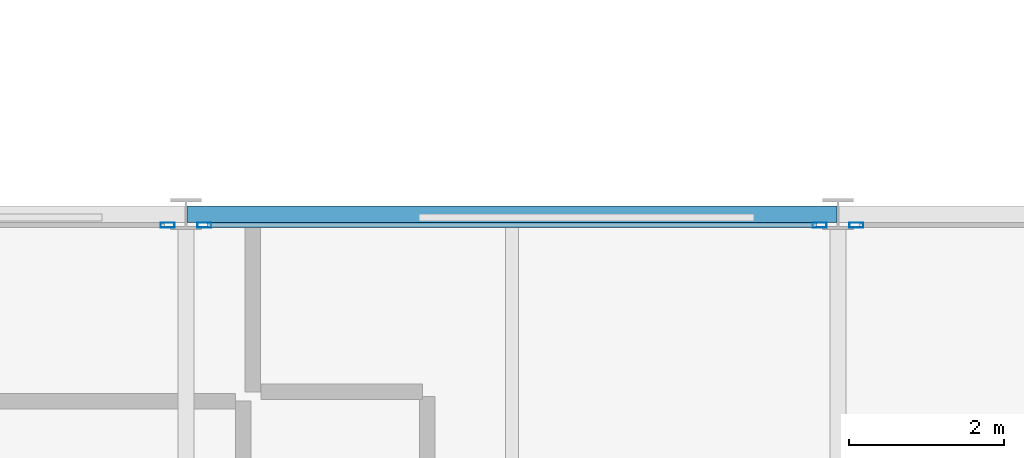
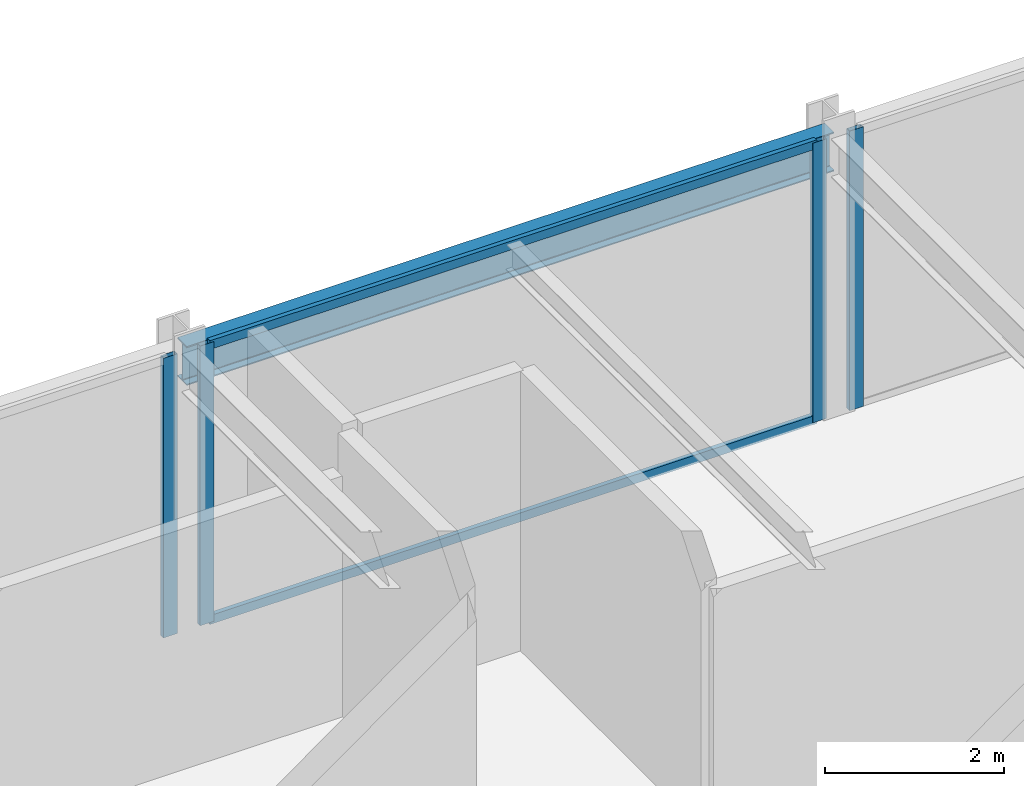
# One storey, part 20 of 38: 6 members, 1 beam, 3 elements without a shape of their own.
"""IFC4 building model written with IfcOpenShell, lengths in metres."""

from ifc_helpers import new_model, si_unit, direction, frame, origin, origin_2d, place, context, subcontext, project, spatial, hollow_rectangle, i_section, extrude, material, layer, layer_set, material_profile, profile_set, type_object, element, aggregate, save


model = new_model("IFC4")

# Units and contexts
model_context = context("Model", 3, precision=1e-05, world=origin(), true_north=direction((0.0, 1.0)))
body_context = subcontext(model_context, "Body", "Model", "MODEL_VIEW")
ifc_project = project(units=[si_unit("LENGTHUNIT", "METRE"), si_unit("AREAUNIT", "SQUARE_METRE"), si_unit("VOLUMEUNIT", "CUBIC_METRE"), si_unit("PLANEANGLEUNIT", "RADIAN"), si_unit("MASSUNIT", "GRAM", prefix="KILO")], contexts=[model_context])

# Site, building, storey
site_placement = place(None, origin())
site = spatial("IfcSite", under=ifc_project, at=site_placement, CompositionType="ELEMENT")
building_placement = place(site_placement, origin())
building = spatial("IfcBuilding", under=site, at=building_placement, Name="Nerrivon Quay Data Exchange", CompositionType="ELEMENT")
storey_placement = place(building_placement, frame((0.0, 0.0, 96.699951171875)))
storey = spatial("IfcBuildingStorey", under=building, at=storey_placement, Name="L22", CompositionType="ELEMENT", Elevation=96.699951171875)

# Beam
ifc_material_1 = material(Name="Steel Grade 350", Category="steel")
ifc_material_profile_1 = material_profile(ifc_material_1, i_section(OverallWidth=0.208984375, OverallDepth=0.532958984375, WebThickness=0.01025390625, FlangeThickness=0.015625, FilletRadius=0.013916015625, at=origin_2d()), Name="530UB92.4")
ifc_profile_set_1 = profile_set([ifc_material_profile_1], Name="Steel Grade 350")
beam_type = type_object("IfcBeamType", Name="BM-G3-530UB92", PredefinedType="BEAM", material=ifc_profile_set_1)
beam_placement = place(storey_placement, frame((33.612548828125, 25.199951171875, 3.55859375), z_axis=(1.0, 0.0, 0.0), x_axis=(0.0, 1.0, 0.0)))
element("IfcBeam", 1, at=beam_placement, inside=storey, type_object=beam_type, Name="L22 EW Girder Y=25.2 (33.6..42.0)", PredefinedType="BEAM", context=body_context, shape_type="SweptSolid", body=[
    extrude(i_section(OverallWidth=0.208984375, OverallDepth=0.532958984375, WebThickness=0.01025390625, FlangeThickness=0.015625, FilletRadius=0.013916015625, at=origin_2d()), origin(), (0.0, 0.0, 1.0), 8.375),
])

# Curtain wall, member
ifc_material_2 = material(Name="Anodised aluminium 6063-T6", Category="aluminium")
ifc_layer = layer(ifc_material_2, 0.2099609375)
ifc_layer_set = layer_set([ifc_layer], Name="Anodised aluminium 6063-T6")
curtain_wall_type = type_object("IfcCurtainWallType", Name="CW-SYS-02", PredefinedType="NOTDEFINED", material=ifc_layer_set)
curtain_wall_1_placement = place(storey_placement, origin())
curtain_wall_1 = element("IfcCurtainWall", 2, at=curtain_wall_1_placement, inside=storey, type_object=curtain_wall_type, Name="L22 Unitised Curtain Wall 32", PredefinedType="NOTDEFINED")
ifc_material_profile_2 = material_profile(ifc_material_2, hollow_rectangle(XDim=0.06494140625, YDim=0.179931640625, WallThickness=0.00341796875, at=origin_2d()), Name="ALU-MULL-180x65")
ifc_profile_set_2 = profile_set([ifc_material_profile_2], Name="Anodised aluminium 6063-T6")
member_type_1 = type_object("IfcMemberType", Name="CWM-180x65", PredefinedType="MULLION", material=ifc_profile_set_2)
member_1_placement = place(storey_placement, frame((33.362548828125, 25.06005859375, 0.0), z_axis=(0.0, 0.0, 1.0), x_axis=(0.0, 1.0, 0.0)))
member_1 = element("IfcMember", 3, at=member_1_placement, type_object=member_type_1, Name="CW02 mullion 2", PredefinedType="MULLION", context=body_context, shape_type="SweptSolid", body=[
    extrude(hollow_rectangle(XDim=0.06494140625, YDim=0.179931640625, WallThickness=0.00341796875, at=origin_2d()), origin(), (0.0, 0.0, 1.0), 3.824951171875),
])
aggregate(curtain_wall_1, [member_1])

# Curtain wall, members
curtain_wall_2_placement = place(storey_placement, origin())
curtain_wall_2 = element("IfcCurtainWall", 4, at=curtain_wall_2_placement, inside=storey, type_object=curtain_wall_type, Name="L22 Unitised Curtain Wall 33", PredefinedType="NOTDEFINED")
member_2_placement = place(storey_placement, frame((33.83740234375, 25.06005859375, 0.0), z_axis=(0.0, 0.0, 1.0), x_axis=(0.0, 1.0, 0.0)))
member_2 = element("IfcMember", 5, at=member_2_placement, type_object=member_type_1, Name="CW02 mullion 1", PredefinedType="MULLION", context=body_context, shape_type="SweptSolid", body=[
    extrude(hollow_rectangle(XDim=0.06494140625, YDim=0.179931640625, WallThickness=0.00341796875, at=origin_2d()), origin(), (0.0, 0.0, 1.0), 3.824951171875),
])
member_3_placement = place(storey_placement, frame((41.762451171875, 25.06005859375, 0.0), z_axis=(0.0, 0.0, 1.0), x_axis=(0.0, 1.0, 0.0)))
member_3 = element("IfcMember", 6, at=member_3_placement, type_object=member_type_1, Name="CW02 mullion 2", PredefinedType="MULLION", context=body_context, shape_type="SweptSolid", body=[
    extrude(hollow_rectangle(XDim=0.06494140625, YDim=0.179931640625, WallThickness=0.00341796875, at=origin_2d()), origin(), (0.0, 0.0, 1.0), 3.824951171875),
])

# Curtain wall, member
curtain_wall_3_placement = place(storey_placement, origin())
curtain_wall_3 = element("IfcCurtainWall", 7, at=curtain_wall_3_placement, inside=storey, type_object=curtain_wall_type, Name="L22 Unitised Curtain Wall 34", PredefinedType="NOTDEFINED")
member_4_placement = place(storey_placement, frame((42.237548828125, 25.06005859375, 0.0), z_axis=(0.0, 0.0, 1.0), x_axis=(0.0, 1.0, 0.0)))
member_4 = element("IfcMember", 8, at=member_4_placement, type_object=member_type_1, Name="CW02 mullion 1", PredefinedType="MULLION", context=body_context, shape_type="SweptSolid", body=[
    extrude(hollow_rectangle(XDim=0.06494140625, YDim=0.179931640625, WallThickness=0.00341796875, at=origin_2d()), origin(), (0.0, 0.0, 1.0), 3.824951171875),
])
aggregate(curtain_wall_3, [member_4])

# Member
ifc_material_profile_3 = material_profile(ifc_material_2, hollow_rectangle(XDim=0.06005859375, YDim=0.1201171875, WallThickness=0.003173828125, at=origin_2d()), Name="ALU-TRAN-120x60")
ifc_profile_set_3 = profile_set([ifc_material_profile_3], Name="Anodised aluminium 6063-T6")
member_type_2 = type_object("IfcMemberType", Name="CWT-120x60", PredefinedType="USERDEFINED", material=ifc_profile_set_3)
member_5_placement = place(storey_placement, frame((33.875, 25.06005859375, 0.032470703125), z_axis=(1.0, 0.0, 0.0), x_axis=(0.0, 1.0, 0.0)))
member_5 = element("IfcMember", 9, at=member_5_placement, type_object=member_type_2, Name="CW02 transom 1.1", ObjectType="TRANSOM", PredefinedType="USERDEFINED", context=body_context, shape_type="SweptSolid", body=[
    extrude(hollow_rectangle(XDim=0.06005859375, YDim=0.1201171875, WallThickness=0.003173828125, at=origin_2d()), origin(), (0.0, 0.0, 1.0), 7.85009765625),
])

member_6_placement = place(storey_placement, frame((33.875, 25.06005859375, 3.79248046875), z_axis=(1.0, 0.0, 0.0), x_axis=(0.0, 1.0, 0.0)))
member_6 = element("IfcMember", 10, at=member_6_placement, type_object=member_type_2, Name="CW02 transom 1.2", ObjectType="TRANSOM", PredefinedType="USERDEFINED", context=body_context, shape_type="SweptSolid", body=[
    extrude(hollow_rectangle(XDim=0.06005859375, YDim=0.1201171875, WallThickness=0.003173828125, at=origin_2d()), origin(), (0.0, 0.0, 1.0), 7.85009765625),
])

aggregate(curtain_wall_2, [member_2, member_3, member_5, member_6])

save(model, "model.ifc")
